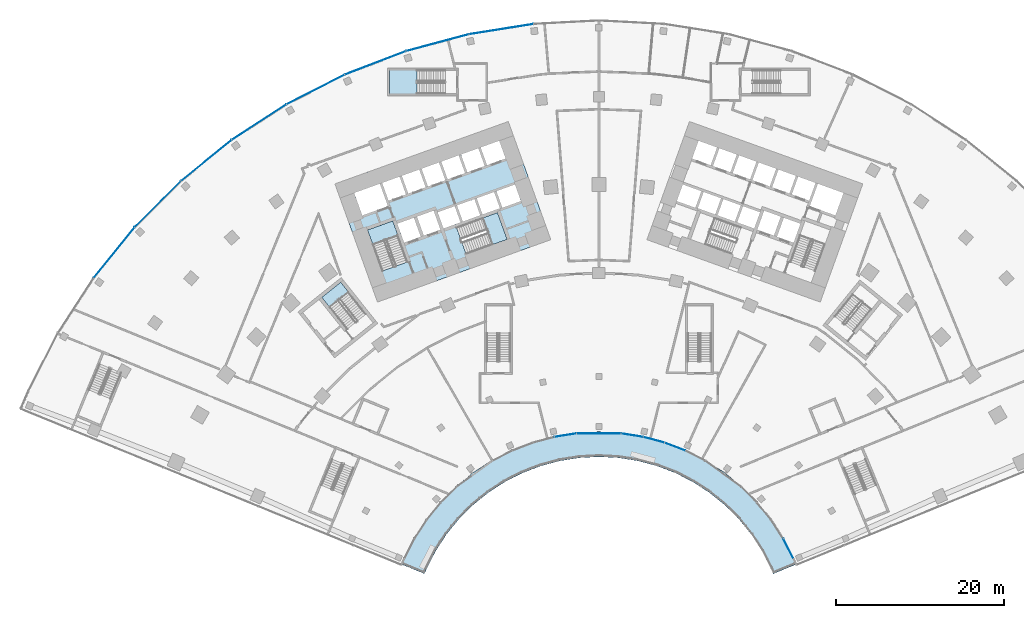
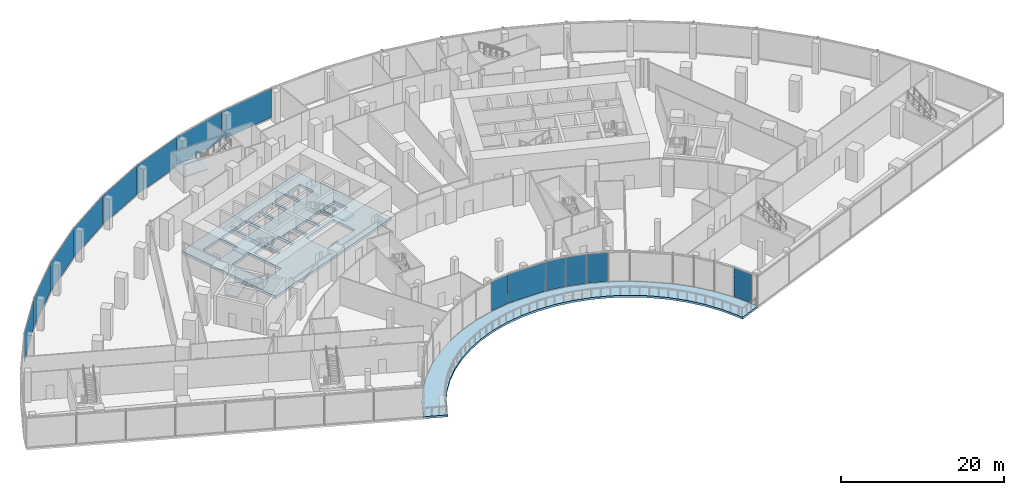
# One storey, part 18 of 39: 14 plates, 6 slabs, 6 elements without a shape of their own.
"""IFC4 building model written with IfcOpenShell, lengths in metres."""

import ifcopenshell
import ifcopenshell.guid

model = None  # the IFC model being written
_history = None  # IfcOwnerHistory: only IFC2X3 demands one
_inside = {}  # id of a spatial element -> (the spatial element, [elements in it])
_under = {}  # id of a project, library or spatial element -> (it, [spatial elements below it])
_declared = {}  # id of a project -> (the project, [libraries it declares])
_typed = {}  # id of a type object -> (the type object, [elements of that type])
_made_of = {}  # id of a material, layer set ... -> (it, [elements and type objects made of it])


def new_model(schema):
    """Start an empty IFC model of exactly this schema.

    Asked for "IFC4X3", IfcOpenShell would pick the latest addendum, in which some entities
    have other attributes; the version numbers below select the first issue.
    IFC2X3 requires an IfcOwnerHistory on every rooted entity: one is made here for all.
    """
    global model, _history
    if schema == "IFC4X3":
        model = ifcopenshell.file(schema_version=(4, 3, 0, 0))
    else:
        model = ifcopenshell.file(schema=schema)
    _inside.clear()
    _under.clear()
    _declared.clear()
    _typed.clear()
    _made_of.clear()
    _history = None
    if model.schema == "IFC2X3":
        org = make("IfcOrganization", Name="unknown")
        user = make(
            "IfcPersonAndOrganization",
            ThePerson=make("IfcPerson", FamilyName="unknown"),
            TheOrganization=org,
        )
        app = make(
            "IfcApplication",
            ApplicationDeveloper=org,
            Version="unknown",
            ApplicationFullName="unknown",
            ApplicationIdentifier="unknown",
        )
        _history = make(
            "IfcOwnerHistory",
            OwningUser=user,
            OwningApplication=app,
            ChangeAction="ADDED",
            CreationDate=0,
        )
    return model


def make(cls, **values):
    """One entity of the class cls with the attributes given. An attribute that is None is left unset."""
    return model.create_entity(
        cls, **{name: value for name, value in values.items() if value is not None}
    )


def rooted(cls, **values):
    """An entity with a GlobalId (a new one), such as an element, a storey or a relation."""
    return make(cls, GlobalId=ifcopenshell.guid.new(), OwnerHistory=_history, **values)


def si_unit(unit_type, name, prefix=None):
    """IfcSIUnit, for example si_unit("LENGTHUNIT", "METRE", prefix="MILLI")."""
    return make("IfcSIUnit", UnitType=unit_type, Prefix=prefix, Name=name)


def assignment(units):
    """IfcUnitAssignment: the units of a project."""
    return None if units is None else make("IfcUnitAssignment", Units=units)


def point(xyz):
    """IfcCartesianPoint."""
    return None if xyz is None else make("IfcCartesianPoint", Coordinates=xyz)


def direction(xyz):
    """IfcDirection."""
    return None if xyz is None else make("IfcDirection", DirectionRatios=xyz)


def frame(location, z_axis=None, x_axis=None):
    """IfcAxis2Placement3D, a coordinate frame: its origin and axes. An axis left out is left unset."""
    return make(
        "IfcAxis2Placement3D",
        Location=point(location),
        Axis=direction(z_axis),
        RefDirection=direction(x_axis),
    )


def frame_2d(location, x_axis=None):
    """IfcAxis2Placement2D, a coordinate frame in the plane: its origin and x axis."""
    return make(
        "IfcAxis2Placement2D", Location=point(location), RefDirection=direction(x_axis)
    )


def origin():
    """The frame at (0, 0, 0) with its axes left unset."""
    return frame((0.0, 0.0, 0.0))


def origin_2d():
    """The frame at (0, 0) in the plane with its x axis left unset."""
    return frame_2d((0.0, 0.0))


def place(relative_to, where):
    """IfcLocalPlacement: puts the frame where relative to a parent placement (None: the world)."""
    return make(
        "IfcLocalPlacement", PlacementRelTo=relative_to, RelativePlacement=where
    )


def context(
    kind, dimensions, precision=None, world=None, true_north=None, identifier=None
):
    """IfcGeometricRepresentationContext, for example the 3D "Model" context."""
    return make(
        "IfcGeometricRepresentationContext",
        ContextIdentifier=identifier,
        ContextType=kind,
        CoordinateSpaceDimension=dimensions,
        Precision=precision,
        WorldCoordinateSystem=world,
        TrueNorth=true_north,
    )


def subcontext(parent, identifier, kind, view, scale=None):
    """IfcGeometricRepresentationSubContext, for example "Body" below "Model"."""
    return make(
        "IfcGeometricRepresentationSubContext",
        ContextIdentifier=identifier,
        ContextType=kind,
        ParentContext=parent,
        TargetScale=scale,
        TargetView=view,
    )


def project(units=None, contexts=None):
    """IfcProject with its units and contexts."""
    return rooted(
        "IfcProject",
        Name="project",
        RepresentationContexts=contexts,
        UnitsInContext=assignment(units),
    )


def spatial(cls, under=None, at=None, **own):
    """A site, building, storey or space (cls), placed at a placement, below another one or the project."""
    s = rooted(cls, ObjectPlacement=at, **own)
    if under is not None:
        _under.setdefault(under.id(), (under, []))[1].append(s)
    return s


def polyline(points):
    """IfcPolyline through the points."""
    return make("IfcPolyline", Points=[point(p) for p in points])


def profile(cls, at=None, kind="AREA", **sizes):
    """A parametric profile (cls). Its sizes go by their IFC names, for example OverallWidth=200.0."""
    return make(cls, ProfileType=kind, Position=at, **sizes)


def rectangle(**sizes):
    """IfcRectangleProfileDef."""
    return profile("IfcRectangleProfileDef", **sizes)


def outline(outer, holes=None, kind="AREA"):
    """IfcArbitraryClosedProfileDef: a profile drawn as a closed curve; with holes, ...WithVoids."""
    if holes is None:
        return make("IfcArbitraryClosedProfileDef", ProfileType=kind, OuterCurve=outer)
    return make(
        "IfcArbitraryProfileDefWithVoids",
        ProfileType=kind,
        OuterCurve=outer,
        InnerCurves=holes,
    )


def extrude(swept, where, along, depth):
    """IfcExtrudedAreaSolid: the profile swept, set in the frame where, extruded along a direction by depth."""
    return make(
        "IfcExtrudedAreaSolid",
        SweptArea=swept,
        Position=where,
        ExtrudedDirection=direction(along),
        Depth=depth,
    )


def shape(context_of_items, identifier, shape_type, items):
    """IfcShapeRepresentation: the items that make up one representation, for example the "Body"."""
    return make(
        "IfcShapeRepresentation",
        ContextOfItems=context_of_items,
        RepresentationIdentifier=identifier,
        RepresentationType=shape_type,
        Items=items,
    )


def material(Name=None, Category=None):
    """IfcMaterial."""
    return make("IfcMaterial", Name=Name, Category=Category)


def layer(
    of_material, thickness, ventilated=None, Name=None, Category=None, Priority=None
):
    """IfcMaterialLayer: one layer of a wall or slab, of a material (None: an air gap)."""
    return make(
        "IfcMaterialLayer",
        Material=of_material,
        LayerThickness=thickness,
        IsVentilated=ventilated,
        Name=Name,
        Category=Category,
        Priority=Priority,
    )


def layer_set(layers, Name=None):
    """IfcMaterialLayerSet."""
    return make("IfcMaterialLayerSet", MaterialLayers=layers, LayerSetName=Name)


def made_of(thing, what):
    """Note that an element or type object is made of a material, layer set ...; save() writes the relation."""
    if what is not None:
        _made_of.setdefault(what.id(), (what, []))[1].append(thing)
    return thing


def type_object(cls, material=None, **own):
    """A type object (cls), such as IfcWallType, which elements share."""
    return made_of(rooted(cls, **own), material)


def element(
    cls,
    number,
    at=None,
    inside=None,
    cuts=None,
    type_object=None,
    material=None,
    context=None,
    identifier="Body",
    shape_type=None,
    held_by="IfcProductDefinitionShape",
    body=None,
    shapes=None,
    **own,
):
    """One element of the class cls, such as IfcWall. Its Tag is "e" and its number.

    at: its placement. inside: the storey or other place that contains it. cuts: it is an
    opening in that element (IfcRelVoidsElement). A single representation is given by context,
    identifier, shape_type and body (its items); several are given by shapes. held_by: the class
    of the entity that holds the representations. save() writes the other relations.
    """
    e = rooted(cls, Tag="e%d" % number, ObjectPlacement=at, **own)
    if body is not None:
        shapes = [shape(context, identifier, shape_type, body)]
    if shapes is not None:
        e.Representation = make(held_by, Representations=shapes)
    if inside is not None:
        _inside.setdefault(inside.id(), (inside, []))[1].append(e)
    if cuts is not None:
        rooted(
            "IfcRelVoidsElement", RelatingBuildingElement=cuts, RelatedOpeningElement=e
        )
    if type_object is not None:
        _typed.setdefault(type_object.id(), (type_object, []))[1].append(e)
    return made_of(e, material)


def aggregate(whole, parts):
    """IfcRelAggregates: a whole, such as a stair, and the parts it consists of."""
    return rooted("IfcRelAggregates", RelatingObject=whole, RelatedObjects=parts)


def save(model, path):
    """Write the relations noted so far, then the file.

    IfcRelAggregates (storeys below a building ...), IfcRelContainedInSpatialStructure (elements
    in a storey), IfcRelDefinesByType, IfcRelAssociatesMaterial and IfcRelDeclares: one each for
    every whole, place, type object, material and project.
    """
    for whole, parts in _under.values():
        aggregate(whole, parts)
    for where, things in _inside.values():
        rooted(
            "IfcRelContainedInSpatialStructure",
            RelatedElements=things,
            RelatingStructure=where,
        )
    for kind, things in _typed.values():
        rooted("IfcRelDefinesByType", RelatedObjects=things, RelatingType=kind)
    for what, things in _made_of.values():
        rooted("IfcRelAssociatesMaterial", RelatedObjects=things, RelatingMaterial=what)
    for by, libraries in _declared.values():
        rooted("IfcRelDeclares", RelatingContext=by, RelatedDefinitions=libraries)
    model.write(path)


model = new_model("IFC4")

# Units and contexts
model_context = context("Model", 3, precision=1e-05, world=origin(), true_north=direction((0.0, 1.0)))
body_context = subcontext(model_context, "Body", "Model", "MODEL_VIEW")
ifc_project = project(units=[si_unit("LENGTHUNIT", "METRE"), si_unit("AREAUNIT", "SQUARE_METRE"), si_unit("VOLUMEUNIT", "CUBIC_METRE"), si_unit("PLANEANGLEUNIT", "RADIAN"), si_unit("MASSUNIT", "GRAM", prefix="KILO")], contexts=[model_context])

# Site, building, storey
site_placement = place(None, origin())
site = spatial("IfcSite", under=ifc_project, at=site_placement, CompositionType="ELEMENT")
building_placement = place(site_placement, origin())
building = spatial("IfcBuilding", under=site, at=building_placement, Name="Stone Belt Terrace Tower", CompositionType="ELEMENT")
storey_placement = place(building_placement, frame((0.0, 0.0, 16.199951171875)))
storey = spatial("IfcBuildingStorey", under=building, at=storey_placement, Name="L03", CompositionType="ELEMENT", Elevation=16.199951171875)

# Curtain wall, plates
ifc_material_1 = material(Name="Aluminium 6063-T6 anodised frame", Category="aluminium")
ifc_layer_1 = layer(ifc_material_1, 0.14990234375)
ifc_layer_set_1 = layer_set([ifc_layer_1], Name="CW-D podium shopfront")
curtain_wall_type = type_object("IfcCurtainWallType", Name="CW-D podium shopfront", PredefinedType="NOTDEFINED", material=ifc_layer_set_1)
curtain_wall_1_placement = place(storey_placement, origin())
curtain_wall_1 = element("IfcCurtainWall", 1, at=curtain_wall_1_placement, inside=storey, type_object=curtain_wall_type, Name="CW-D concave face L03", PredefinedType="NOTDEFINED")
ifc_material_2 = material(Name="Clear double glazed unit")
ifc_layer_2 = layer(ifc_material_2, 0.031982421875)
ifc_layer_set_2 = layer_set([ifc_layer_2], Name="CW-D glass panel 32")
plate_type = type_object("IfcPlateType", Name="CW-D glass panel 32", PredefinedType="CURTAIN_PANEL", material=ifc_layer_set_2)
plate_1_placement = place(storey_placement, frame((-3.973876953125, 25.0771484375, 0.14013671875), z_axis=(0.0, 0.0, 1.0), x_axis=(0.987688340595, 0.15643446504, 0.0)))
plate_1 = element("IfcPlate", 2, at=plate_1_placement, type_object=plate_type, Name="CW-D panel 10.1", PredefinedType="CURTAIN_PANEL", context=body_context, shape_type="SweptSolid", body=[
    extrude(rectangle(XDim=2.589599609375, YDim=0.031982421875, at=origin_2d()), origin(), (0.0, 0.0, 1.0), 4.320068359375),
])
plate_2_placement = place(storey_placement, frame((0.0, 25.285400390625, 0.14013671875), z_axis=(0.0, 0.0, 1.0), x_axis=(1.0, 0.0, 0.0)))
plate_2 = element("IfcPlate", 3, at=plate_2_placement, type_object=plate_type, Name="CW-D panel 11.1", PredefinedType="CURTAIN_PANEL", context=body_context, shape_type="SweptSolid", body=[
    extrude(rectangle(XDim=5.24755859375, YDim=0.031982421875, at=origin_2d()), origin(), (0.0, 0.0, 1.0), 4.320068359375),
])
plate_3_placement = place(storey_placement, frame((3.973876953125, 25.0771484375, 0.14013671875), z_axis=(0.0, 0.0, 1.0), x_axis=(0.987688340595, -0.15643446504, 0.0)))
plate_3 = element("IfcPlate", 4, at=plate_3_placement, type_object=plate_type, Name="CW-D panel 12.1", PredefinedType="CURTAIN_PANEL", context=body_context, shape_type="SweptSolid", body=[
    extrude(rectangle(XDim=2.589599609375, YDim=0.031982421875, at=origin_2d()), origin(), (0.0, 0.0, 1.0), 4.320068359375),
])
plate_4_placement = place(storey_placement, frame((6.571533203125, 24.52490234375, 0.14013671875), z_axis=(0.0, 0.0, 1.0), x_axis=(0.965925826289, -0.258819045103, 0.0)))
plate_4 = element("IfcPlate", 5, at=plate_4_placement, type_object=plate_type, Name="CW-D panel 13.1", PredefinedType="CURTAIN_PANEL", context=body_context, shape_type="SweptSolid", body=[
    extrude(rectangle(XDim=2.593505859375, YDim=0.031982421875, at=origin_2d()), origin(), (0.0, 0.0, 1.0), 4.320068359375),
])
plate_5_placement = place(storey_placement, frame((9.098876953125, 23.70361328125, 0.14013671875), z_axis=(0.0, 0.0, 1.0), x_axis=(0.933580426497, -0.358367949545, 0.0)))
plate_5 = element("IfcPlate", 6, at=plate_5_placement, type_object=plate_type, Name="CW-D panel 14.1", PredefinedType="CURTAIN_PANEL", context=body_context, shape_type="SweptSolid", body=[
    extrude(rectangle(XDim=2.593505859375, YDim=0.031982421875, at=origin_2d()), origin(), (0.0, 0.0, 1.0), 4.320068359375),
])
plate_6_placement = place(storey_placement, frame((22.623291015625, 11.525634765625, 0.14013671875), z_axis=(0.0, 0.0, 1.0), x_axis=(0.45399049974, -0.891006524188, 0.0)))
plate_6 = element("IfcPlate", 7, at=plate_6_placement, type_object=plate_type, Name="CW-D panel 20.1", PredefinedType="CURTAIN_PANEL", context=body_context, shape_type="SweptSolid", body=[
    extrude(rectangle(XDim=2.59619140625, YDim=0.031982421875, at=origin_2d()), origin(), (0.0, 0.0, 1.0), 4.320068359375),
])
aggregate(curtain_wall_1, [plate_1, plate_2, plate_3, plate_4, plate_5, plate_6])

curtain_wall_2_placement = place(storey_placement, origin())
curtain_wall_2 = element("IfcCurtainWall", 8, at=curtain_wall_2_placement, inside=storey, type_object=curtain_wall_type, Name="CW-D convex face L03", PredefinedType="NOTDEFINED")
plate_7_placement = place(storey_placement, frame((-11.650146484375, 73.555908203125, 0.14013671875), z_axis=(0.0, 0.0, 1.0), x_axis=(-0.987688340595, -0.15643446504, 0.0)))
plate_7 = element("IfcPlate", 9, at=plate_7_placement, type_object=plate_type, Name="CW-D panel 14.1", PredefinedType="CURTAIN_PANEL", context=body_context, shape_type="SweptSolid", body=[
    extrude(rectangle(XDim=7.738037109375, YDim=0.031982421875, at=origin_2d()), origin(), (0.0, 0.0, 1.0), 4.320068359375),
])
plate_8_placement = place(storey_placement, frame((-19.27490234375, 71.935302734375, 0.14013671875), z_axis=(0.0, 0.0, 1.0), x_axis=(-0.965925826289, -0.258819045103, 0.0)))
plate_8 = element("IfcPlate", 10, at=plate_8_placement, type_object=plate_type, Name="CW-D panel 15.1", PredefinedType="CURTAIN_PANEL", context=body_context, shape_type="SweptSolid", body=[
    extrude(rectangle(XDim=7.738037109375, YDim=0.031982421875, at=origin_2d()), origin(), (0.0, 0.0, 1.0), 4.320068359375),
])
plate_9_placement = place(storey_placement, frame((-26.688720703125, 69.5263671875, 0.14013671875), z_axis=(0.0, 0.0, 1.0), x_axis=(-0.933580426497, -0.358367949545, 0.0)))
plate_9 = element("IfcPlate", 11, at=plate_9_placement, type_object=plate_type, Name="CW-D panel 16.1", PredefinedType="CURTAIN_PANEL", context=body_context, shape_type="SweptSolid", body=[
    extrude(rectangle(XDim=7.738037109375, YDim=0.031982421875, at=origin_2d()), origin(), (0.0, 0.0, 1.0), 4.320068359375),
])
plate_10_placement = place(storey_placement, frame((-33.81005859375, 66.35595703125, 0.14013671875), z_axis=(0.0, 0.0, 1.0), x_axis=(-0.891006524188, -0.45399049974, 0.0)))
plate_10 = element("IfcPlate", 12, at=plate_10_placement, type_object=plate_type, Name="CW-D panel 17.1", PredefinedType="CURTAIN_PANEL", context=body_context, shape_type="SweptSolid", body=[
    extrude(rectangle(XDim=7.738037109375, YDim=0.031982421875, at=origin_2d()), origin(), (0.0, 0.0, 1.0), 4.320068359375),
])
plate_11_placement = place(storey_placement, frame((-40.560791015625, 62.458251953125, 0.14013671875), z_axis=(0.0, 0.0, 1.0), x_axis=(-0.838670567945, -0.544639035015, 0.0)))
plate_11 = element("IfcPlate", 13, at=plate_11_placement, type_object=plate_type, Name="CW-D panel 18.1", PredefinedType="CURTAIN_PANEL", context=body_context, shape_type="SweptSolid", body=[
    extrude(rectangle(XDim=7.738037109375, YDim=0.031982421875, at=origin_2d()), origin(), (0.0, 0.0, 1.0), 4.320068359375),
])
plate_12_placement = place(storey_placement, frame((-46.867431640625, 57.876220703125, 0.14013671875), z_axis=(0.0, 0.0, 1.0), x_axis=(-0.777145961457, -0.62932039105, 0.0)))
plate_12 = element("IfcPlate", 14, at=plate_12_placement, type_object=plate_type, Name="CW-D panel 19.1", PredefinedType="CURTAIN_PANEL", context=body_context, shape_type="SweptSolid", body=[
    extrude(rectangle(XDim=7.738037109375, YDim=0.031982421875, at=origin_2d()), origin(), (0.0, 0.0, 1.0), 4.320068359375),
])
plate_13_placement = place(storey_placement, frame((-52.660400390625, 52.660400390625, 0.14013671875), z_axis=(0.0, 0.0, 1.0), x_axis=(-0.707106781187, -0.707106781187, 0.0)))
plate_13 = element("IfcPlate", 15, at=plate_13_placement, type_object=plate_type, Name="CW-D panel 20.1", PredefinedType="CURTAIN_PANEL", context=body_context, shape_type="SweptSolid", body=[
    extrude(rectangle(XDim=7.738037109375, YDim=0.031982421875, at=origin_2d()), origin(), (0.0, 0.0, 1.0), 4.320068359375),
])
plate_14_placement = place(storey_placement, frame((-57.876220703125, 46.867431640625, 0.14013671875), z_axis=(0.0, 0.0, 1.0), x_axis=(-0.62932039105, -0.777145961457, 0.0)))
plate_14 = element("IfcPlate", 16, at=plate_14_placement, type_object=plate_type, Name="CW-D panel 21.1", PredefinedType="CURTAIN_PANEL", context=body_context, shape_type="SweptSolid", body=[
    extrude(rectangle(XDim=7.738037109375, YDim=0.031982421875, at=origin_2d()), origin(), (0.0, 0.0, 1.0), 4.320068359375),
])
aggregate(curtain_wall_2, [plate_7, plate_8, plate_9, plate_10, plate_11, plate_12, plate_13, plate_14])

# Slab
ifc_material_3 = material(Name="Concrete B40", Category="concrete")
ifc_layer_3 = layer(ifc_material_3, 0.39990234375)
ifc_layer_set_3 = layer_set([ifc_layer_3], Name="Core floor slab 400")
slab_type_1 = type_object("IfcSlabType", Name="Core floor slab 400", PredefinedType="FLOOR", material=ifc_layer_set_3)
slab_1_placement = place(storey_placement, frame((0.0, 0.0, -0.39990234375)))
element("IfcSlab", 17, at=slab_1_placement, inside=storey, type_object=slab_type_1, Name="Core A floor L03", PredefinedType="FLOOR", context=body_context, shape_type="SweptSolid", body=[
    extrude(outline(polyline([(-26.43505859375, 40.968994140625), (-5.735107421875, 48.4189453125), (-10.81396484375, 62.531982421875), (-31.513916015625, 55.0830078125), (-26.43505859375, 40.968994140625)]), holes=[polyline([(-24.60791015625, 50.659912109375), (-22.847900390625, 45.76806640625), (-25.85888671875, 44.68408203125), (-27.618896484375, 49.575927734375), (-24.60791015625, 50.659912109375)]), polyline([(-21.27392578125, 48.778076171875), (-23.25, 48.06689453125), (-24.06298828125, 50.324951171875), (-22.0869140625, 51.035888671875), (-21.27392578125, 48.778076171875)]), polyline([(-18.922119140625, 49.6240234375), (-20.89794921875, 48.9130859375), (-21.7109375, 51.1708984375), (-19.735107421875, 51.883056640625), (-18.922119140625, 49.6240234375)]), polyline([(-19.239990234375, 51.68896484375), (-17.217041015625, 52.4169921875), (-16.52294921875, 50.488037109375), (-18.5458984375, 49.760009765625), (-19.239990234375, 51.68896484375)]), polyline([(-29.2109375, 53.9990234375), (-26.153076171875, 55.09912109375), (-25.18798828125, 52.41796875), (-28.24609375, 51.31689453125), (-29.2109375, 53.9990234375)]), polyline([(-23.801025390625, 55.946044921875), (-23.0390625, 53.8291015625), (-25.10888671875, 53.083984375), (-25.87109375, 55.200927734375), (-23.801025390625, 55.946044921875)]), polyline([(-21.447998046875, 56.7919921875), (-20.68603515625, 54.675048828125), (-22.756103515625, 53.929931640625), (-23.51806640625, 56.047119140625), (-21.447998046875, 56.7919921875)]), polyline([(-19.095947265625, 57.638916015625), (-18.333984375, 55.52197265625), (-20.404052734375, 54.777099609375), (-21.166015625, 56.89404296875), (-19.095947265625, 57.638916015625)]), polyline([(-15.846923828125, 46.69189453125), (-16.998046875, 49.89208984375), (-12.10595703125, 51.652099609375), (-10.955078125, 48.452880859375), (-15.846923828125, 46.69189453125)]), polyline([(-16.239990234375, 50.589111328125), (-16.93408203125, 52.51806640625), (-14.864013671875, 53.262939453125), (-14.169921875, 51.333984375), (-16.239990234375, 50.589111328125)]), polyline([(-11.801025390625, 52.134033203125), (-11.847900390625, 52.116943359375), (-11.864990234375, 52.1640625), (-13.887939453125, 51.43603515625), (-14.58203125, 53.364990234375), (-12.511962890625, 54.110107421875), (-11.801025390625, 52.134033203125)]), polyline([(-9.30810546875, 53.031005859375), (-11.51904296875, 52.235107421875), (-12.22998046875, 54.2109375), (-10.01904296875, 55.007080078125), (-9.30810546875, 53.031005859375)]), polyline([(-16.743896484375, 58.485107421875), (-15.98193359375, 56.367919921875), (-18.052001953125, 55.623046875), (-18.81396484375, 57.739990234375), (-16.743896484375, 58.485107421875)]), polyline([(-14.39111328125, 59.33203125), (-13.6298828125, 57.215087890625), (-15.699951171875, 56.469970703125), (-16.4609375, 58.5869140625), (-14.39111328125, 59.33203125)]), polyline([(-11.89794921875, 60.22900390625), (-11.135986328125, 58.112060546875), (-13.346923828125, 57.31591796875), (-14.10888671875, 59.43408203125), (-11.89794921875, 60.22900390625)])]), origin(), (0.0, 0.0, 1.0), 0.39990234375),
])

# Stair, slab
ifc_material_4 = material(Name="Concrete B30", Category="concrete")
stair_type_1 = type_object("IfcStairType", Name="Podium stair concrete B30", PredefinedType="HALF_TURN_STAIR", material=ifc_material_4)
stair_1_placement = place(storey_placement, origin())
stair_1 = element("IfcStair", 18, at=stair_1_placement, inside=storey, type_object=stair_type_1, Name="L03 podium exit stair 7", PredefinedType="HALF_TURN_STAIR")
ifc_layer_4 = layer(ifc_material_4, 0.199951171875)
ifc_layer_set_4 = layer_set([ifc_layer_4], Name="Podium stair landing concrete B30")
slab_type_2 = type_object("IfcSlabType", Name="Podium stair landing concrete B30", PredefinedType="LANDING", material=ifc_layer_set_4)
slab_2_placement = place(storey_placement, frame((0.0, 0.0, 2.10009765625)))
slab_2 = element("IfcSlab", 19, at=slab_2_placement, type_object=slab_type_2, Name="PS7 landing 1", PredefinedType="LANDING", context=body_context, shape_type="SweptSolid", body=[
    extrude(outline(polyline([(-21.697021484375, 68.675048828125), (-25.010009765625, 68.675048828125), (-25.010009765625, 65.824951171875), (-21.697021484375, 65.824951171875), (-21.697021484375, 68.675048828125)])), origin(), (0.0, 0.0, 1.0), 0.199951171875),
])
aggregate(stair_1, [slab_2])

stair_type_2 = type_object("IfcStairType", Name="Exit stair 1500", PredefinedType="HALF_TURN_STAIR", material=ifc_material_3)
stair_2_placement = place(storey_placement, origin())
stair_2 = element("IfcStair", 20, at=stair_2_placement, inside=storey, type_object=stair_type_2, Name="L03 Exit stair 1 core A", PredefinedType="HALF_TURN_STAIR")
ifc_layer_5 = layer(ifc_material_3, 0.199951171875)
ifc_layer_set_5 = layer_set([ifc_layer_5], Name="Stair landing 200")
slab_type_3 = type_object("IfcSlabType", Name="Stair landing 200", PredefinedType="LANDING", material=ifc_layer_set_5)
slab_3_placement = place(storey_placement, frame((0.0, 0.0, 2.10009765625)))
slab_3 = element("IfcSlab", 21, at=slab_3_placement, type_object=slab_type_3, Name="ST1A landing 1", PredefinedType="LANDING", context=body_context, shape_type="SweptSolid", body=[
    extrude(outline(polyline([(-23.985107421875, 48.927734375), (-24.6083984375, 50.659912109375), (-27.619384765625, 49.576171875), (-26.99609375, 47.84423828125), (-23.985107421875, 48.927734375)])), origin(), (0.0, 0.0, 1.0), 0.199951171875),
])
aggregate(stair_2, [slab_3])

stair_3_placement = place(storey_placement, origin())
stair_3 = element("IfcStair", 22, at=stair_3_placement, inside=storey, type_object=stair_type_2, Name="L03 Exit stair 2 core A", PredefinedType="HALF_TURN_STAIR")
slab_4_placement = place(storey_placement, frame((0.0, 0.0, 2.10009765625)))
slab_4 = element("IfcSlab", 23, at=slab_4_placement, type_object=slab_type_3, Name="ST2A landing 1", PredefinedType="LANDING", context=body_context, shape_type="SweptSolid", body=[
    extrude(outline(polyline([(-12.6865234375, 47.82958984375), (-10.95458984375, 48.453125), (-12.10595703125, 51.652099609375), (-13.837890625, 51.02880859375), (-12.6865234375, 47.82958984375)])), origin(), (0.0, 0.0, 1.0), 0.199951171875),
])
aggregate(stair_3, [slab_4])

stair_4_placement = place(storey_placement, origin())
stair_4 = element("IfcStair", 24, at=stair_4_placement, inside=storey, type_object=stair_type_2, Name="L03 Exit stair 3A", PredefinedType="HALF_TURN_STAIR")
slab_5_placement = place(storey_placement, frame((0.0, 0.0, 2.10009765625)))
slab_5 = element("IfcSlab", 25, at=slab_5_placement, type_object=slab_type_3, Name="ST3A landing 1", PredefinedType="LANDING", context=body_context, shape_type="SweptSolid", body=[
    extrude(outline(polyline([(-29.890625, 42.171875), (-30.819580078125, 43.337890625), (-33.087646484375, 41.53076171875), (-32.15869140625, 40.36474609375), (-29.890625, 42.171875)])), origin(), (0.0, 0.0, 1.0), 0.199951171875),
])
aggregate(stair_4, [slab_5])

# Slab
ifc_layer_6 = layer(ifc_material_3, 0.300048828125)
ifc_layer_set_6 = layer_set([ifc_layer_6], Name="Terrace slab 300 B40")
slab_type_4 = type_object("IfcSlabType", Name="Terrace slab 300 B40", PredefinedType="FLOOR", material=ifc_layer_set_6)
slab_6_placement = place(storey_placement, frame((0.0, 0.0, -0.300048828125)))
element("IfcSlab", 26, at=slab_6_placement, inside=storey, type_object=slab_type_4, Name="Terrace slab L03-podium_terrace-1", PredefinedType="FLOOR", context=body_context, shape_type="SweptSolid", body=[
    extrude(outline(polyline([(-23.59521484375, 9.670654296875), (-20.819091796875, 8.532958984375), (-20.5546875, 9.151611328125), (-19.485595703125, 11.25), (-18.202880859375, 13.22509765625), (-16.720703125, 15.055419921875), (-15.055419921875, 16.720703125), (-13.22509765625, 18.202880859375), (-11.25, 19.485595703125), (-9.151611328125, 20.5546875), (-6.952880859375, 21.398681640625), (-4.677978515625, 22.00830078125), (-2.351806640625, 22.376708984375), (0.0, 22.5), (2.351806640625, 22.376708984375), (4.677978515625, 22.00830078125), (6.952880859375, 21.398681640625), (9.151611328125, 20.5546875), (11.25, 19.485595703125), (13.22509765625, 18.202880859375), (15.055419921875, 16.720703125), (16.720703125, 15.055419921875), (18.202880859375, 13.22509765625), (19.485595703125, 11.25), (20.5546875, 9.151611328125), (20.819091796875, 8.532958984375), (23.59521484375, 9.670654296875), (23.29541015625, 10.371826171875), (22.08349609375, 12.75), (20.6298828125, 14.988525390625), (18.9501953125, 17.062744140625), (17.062744140625, 18.9501953125), (14.988525390625, 20.6298828125), (12.75, 22.08349609375), (10.371826171875, 23.29541015625), (7.8798828125, 24.251953125), (5.3017578125, 24.94287109375), (2.66552734375, 25.3603515625), (0.0, 25.5), (-2.66552734375, 25.3603515625), (-5.3017578125, 24.94287109375), (-7.8798828125, 24.251953125), (-10.371826171875, 23.29541015625), (-12.75, 22.08349609375), (-14.988525390625, 20.6298828125), (-17.062744140625, 18.9501953125), (-18.9501953125, 17.062744140625), (-20.6298828125, 14.988525390625), (-22.08349609375, 12.75), (-23.29541015625, 10.371826171875), (-23.59521484375, 9.670654296875)])), origin(), (0.0, 0.0, 1.0), 0.300048828125),
])

save(model, "model.ifc")
